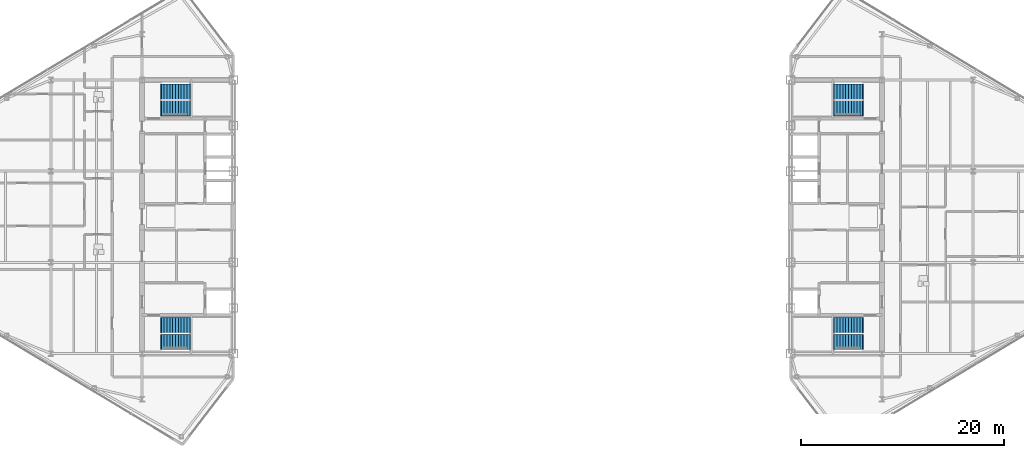
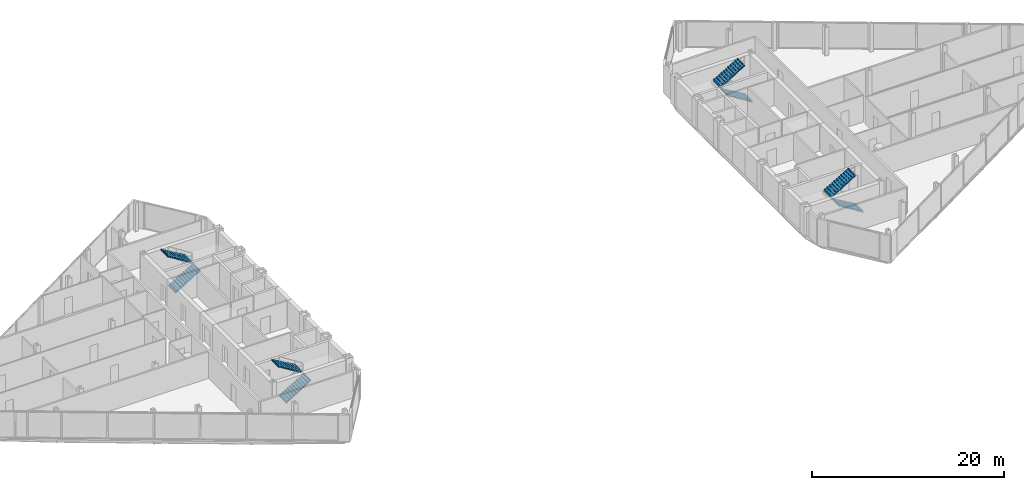
# One storey, part 23 of 25: 8 stair flights, 4 elements without a shape of their own.
"""IFC4 building model written with IfcOpenShell, lengths in metres."""

import ifcopenshell
import ifcopenshell.guid

model = None  # the IFC model being written
_history = None  # IfcOwnerHistory: only IFC2X3 demands one
_inside = {}  # id of a spatial element -> (the spatial element, [elements in it])
_under = {}  # id of a project, library or spatial element -> (it, [spatial elements below it])
_declared = {}  # id of a project -> (the project, [libraries it declares])
_typed = {}  # id of a type object -> (the type object, [elements of that type])
_made_of = {}  # id of a material, layer set ... -> (it, [elements and type objects made of it])


def new_model(schema):
    """Start an empty IFC model of exactly this schema.

    Asked for "IFC4X3", IfcOpenShell would pick the latest addendum, in which some entities
    have other attributes; the version numbers below select the first issue.
    IFC2X3 requires an IfcOwnerHistory on every rooted entity: one is made here for all.
    """
    global model, _history
    if schema == "IFC4X3":
        model = ifcopenshell.file(schema_version=(4, 3, 0, 0))
    else:
        model = ifcopenshell.file(schema=schema)
    _inside.clear()
    _under.clear()
    _declared.clear()
    _typed.clear()
    _made_of.clear()
    _history = None
    if model.schema == "IFC2X3":
        org = make("IfcOrganization", Name="unknown")
        user = make(
            "IfcPersonAndOrganization",
            ThePerson=make("IfcPerson", FamilyName="unknown"),
            TheOrganization=org,
        )
        app = make(
            "IfcApplication",
            ApplicationDeveloper=org,
            Version="unknown",
            ApplicationFullName="unknown",
            ApplicationIdentifier="unknown",
        )
        _history = make(
            "IfcOwnerHistory",
            OwningUser=user,
            OwningApplication=app,
            ChangeAction="ADDED",
            CreationDate=0,
        )
    return model


def make(cls, **values):
    """One entity of the class cls with the attributes given. An attribute that is None is left unset."""
    return model.create_entity(
        cls, **{name: value for name, value in values.items() if value is not None}
    )


def rooted(cls, **values):
    """An entity with a GlobalId (a new one), such as an element, a storey or a relation."""
    return make(cls, GlobalId=ifcopenshell.guid.new(), OwnerHistory=_history, **values)


def si_unit(unit_type, name, prefix=None):
    """IfcSIUnit, for example si_unit("LENGTHUNIT", "METRE", prefix="MILLI")."""
    return make("IfcSIUnit", UnitType=unit_type, Prefix=prefix, Name=name)


def assignment(units):
    """IfcUnitAssignment: the units of a project."""
    return None if units is None else make("IfcUnitAssignment", Units=units)


def point(xyz):
    """IfcCartesianPoint."""
    return None if xyz is None else make("IfcCartesianPoint", Coordinates=xyz)


def direction(xyz):
    """IfcDirection."""
    return None if xyz is None else make("IfcDirection", DirectionRatios=xyz)


def frame(location, z_axis=None, x_axis=None):
    """IfcAxis2Placement3D, a coordinate frame: its origin and axes. An axis left out is left unset."""
    return make(
        "IfcAxis2Placement3D",
        Location=point(location),
        Axis=direction(z_axis),
        RefDirection=direction(x_axis),
    )


def origin():
    """The frame at (0, 0, 0) with its axes left unset."""
    return frame((0.0, 0.0, 0.0))


def place(relative_to, where):
    """IfcLocalPlacement: puts the frame where relative to a parent placement (None: the world)."""
    return make(
        "IfcLocalPlacement", PlacementRelTo=relative_to, RelativePlacement=where
    )


def context(
    kind, dimensions, precision=None, world=None, true_north=None, identifier=None
):
    """IfcGeometricRepresentationContext, for example the 3D "Model" context."""
    return make(
        "IfcGeometricRepresentationContext",
        ContextIdentifier=identifier,
        ContextType=kind,
        CoordinateSpaceDimension=dimensions,
        Precision=precision,
        WorldCoordinateSystem=world,
        TrueNorth=true_north,
    )


def subcontext(parent, identifier, kind, view, scale=None):
    """IfcGeometricRepresentationSubContext, for example "Body" below "Model"."""
    return make(
        "IfcGeometricRepresentationSubContext",
        ContextIdentifier=identifier,
        ContextType=kind,
        ParentContext=parent,
        TargetScale=scale,
        TargetView=view,
    )


def project(units=None, contexts=None):
    """IfcProject with its units and contexts."""
    return rooted(
        "IfcProject",
        Name="project",
        RepresentationContexts=contexts,
        UnitsInContext=assignment(units),
    )


def spatial(cls, under=None, at=None, **own):
    """A site, building, storey or space (cls), placed at a placement, below another one or the project."""
    s = rooted(cls, ObjectPlacement=at, **own)
    if under is not None:
        _under.setdefault(under.id(), (under, []))[1].append(s)
    return s


def polyline(points):
    """IfcPolyline through the points."""
    return make("IfcPolyline", Points=[point(p) for p in points])


def outline(outer, holes=None, kind="AREA"):
    """IfcArbitraryClosedProfileDef: a profile drawn as a closed curve; with holes, ...WithVoids."""
    if holes is None:
        return make("IfcArbitraryClosedProfileDef", ProfileType=kind, OuterCurve=outer)
    return make(
        "IfcArbitraryProfileDefWithVoids",
        ProfileType=kind,
        OuterCurve=outer,
        InnerCurves=holes,
    )


def extrude(swept, where, along, depth):
    """IfcExtrudedAreaSolid: the profile swept, set in the frame where, extruded along a direction by depth."""
    return make(
        "IfcExtrudedAreaSolid",
        SweptArea=swept,
        Position=where,
        ExtrudedDirection=direction(along),
        Depth=depth,
    )


def shape(context_of_items, identifier, shape_type, items):
    """IfcShapeRepresentation: the items that make up one representation, for example the "Body"."""
    return make(
        "IfcShapeRepresentation",
        ContextOfItems=context_of_items,
        RepresentationIdentifier=identifier,
        RepresentationType=shape_type,
        Items=items,
    )


def material(Name=None, Category=None):
    """IfcMaterial."""
    return make("IfcMaterial", Name=Name, Category=Category)


def made_of(thing, what):
    """Note that an element or type object is made of a material, layer set ...; save() writes the relation."""
    if what is not None:
        _made_of.setdefault(what.id(), (what, []))[1].append(thing)
    return thing


def type_object(cls, material=None, **own):
    """A type object (cls), such as IfcWallType, which elements share."""
    return made_of(rooted(cls, **own), material)


def element(
    cls,
    number,
    at=None,
    inside=None,
    cuts=None,
    type_object=None,
    material=None,
    context=None,
    identifier="Body",
    shape_type=None,
    held_by="IfcProductDefinitionShape",
    body=None,
    shapes=None,
    **own,
):
    """One element of the class cls, such as IfcWall. Its Tag is "e" and its number.

    at: its placement. inside: the storey or other place that contains it. cuts: it is an
    opening in that element (IfcRelVoidsElement). A single representation is given by context,
    identifier, shape_type and body (its items); several are given by shapes. held_by: the class
    of the entity that holds the representations. save() writes the other relations.
    """
    e = rooted(cls, Tag="e%d" % number, ObjectPlacement=at, **own)
    if body is not None:
        shapes = [shape(context, identifier, shape_type, body)]
    if shapes is not None:
        e.Representation = make(held_by, Representations=shapes)
    if inside is not None:
        _inside.setdefault(inside.id(), (inside, []))[1].append(e)
    if cuts is not None:
        rooted(
            "IfcRelVoidsElement", RelatingBuildingElement=cuts, RelatedOpeningElement=e
        )
    if type_object is not None:
        _typed.setdefault(type_object.id(), (type_object, []))[1].append(e)
    return made_of(e, material)


def aggregate(whole, parts):
    """IfcRelAggregates: a whole, such as a stair, and the parts it consists of."""
    return rooted("IfcRelAggregates", RelatingObject=whole, RelatedObjects=parts)


def save(model, path):
    """Write the relations noted so far, then the file.

    IfcRelAggregates (storeys below a building ...), IfcRelContainedInSpatialStructure (elements
    in a storey), IfcRelDefinesByType, IfcRelAssociatesMaterial and IfcRelDeclares: one each for
    every whole, place, type object, material and project.
    """
    for whole, parts in _under.values():
        aggregate(whole, parts)
    for where, things in _inside.values():
        rooted(
            "IfcRelContainedInSpatialStructure",
            RelatedElements=things,
            RelatingStructure=where,
        )
    for kind, things in _typed.values():
        rooted("IfcRelDefinesByType", RelatedObjects=things, RelatingType=kind)
    for what, things in _made_of.values():
        rooted("IfcRelAssociatesMaterial", RelatedObjects=things, RelatingMaterial=what)
    for by, libraries in _declared.values():
        rooted("IfcRelDeclares", RelatingContext=by, RelatedDefinitions=libraries)
    model.write(path)


model = new_model("IFC4")

# Units and contexts
model_context = context("Model", 3, precision=1e-05, world=origin(), true_north=direction((0.0, 1.0)))
body_context = subcontext(model_context, "Body", "Model", "MODEL_VIEW")
ifc_project = project(units=[si_unit("LENGTHUNIT", "METRE"), si_unit("AREAUNIT", "SQUARE_METRE"), si_unit("VOLUMEUNIT", "CUBIC_METRE"), si_unit("PLANEANGLEUNIT", "RADIAN"), si_unit("MASSUNIT", "GRAM", prefix="KILO")], contexts=[model_context])

# Site, building, storey
site_placement = place(None, origin())
site = spatial("IfcSite", under=ifc_project, at=site_placement, CompositionType="ELEMENT")
building_placement = place(site_placement, origin())
building = spatial("IfcBuilding", under=site, at=building_placement, Name="Seokmaru Belvedere", CompositionType="ELEMENT")
storey_placement = place(building_placement, frame((0.0, 0.0, 213.89990234375)))
storey = spatial("IfcBuildingStorey", under=building, at=storey_placement, Name="L57", CompositionType="ELEMENT", Elevation=213.89990234375)

# Stair, stair flights
ifc_material = material(Name="Concrete C40 (40 MPa)", Category="concrete")
stair_type = type_object("IfcStairType", Name="Typical Tower Core Dog-Leg Stair 3600", PredefinedType="TWO_STRAIGHT_RUN_STAIR", material=ifc_material)
stair_1_placement = place(storey_placement, origin())
stair_1 = element("IfcStair", 1, at=stair_1_placement, inside=storey, type_object=stair_type, Name="L57 Special Escape Stair ST-W1", PredefinedType="TWO_STRAIGHT_RUN_STAIR")
stair_flight_type = type_object("IfcStairFlightType", Name="Reinforced Concrete Stair Flight 1500", PredefinedType="STRAIGHT", material=ifc_material)
stair_flight_1_placement = place(storey_placement, frame((-34.60009765625, -12.35009765625, 0.0), z_axis=(0.0, 0.0, 1.0), x_axis=(1.0, 0.0, 0.0)))
stair_flight_1 = element("IfcStairFlight", 2, at=stair_flight_1_placement, type_object=stair_flight_type, Name="ST-W1 flight 1", NumberOfRisers=11, NumberOfTreads=10, PredefinedType="STRAIGHT", RiserHeight=0.163636364, TreadLength=0.28, context=body_context, shape_type="SweptSolid", body=[
    extrude(outline(polyline([(-0.080078125, 0.0), (0.0, 0.16357421875), (0.280029296875, 0.16357421875), (0.280029296875, 0.327392578125), (0.56005859375, 0.327392578125), (0.56005859375, 0.490966796875), (0.840087890625, 0.490966796875), (0.840087890625, 0.654541015625), (1.1201171875, 0.654541015625), (1.1201171875, 0.818115234375), (1.39990234375, 0.818115234375), (1.39990234375, 0.98193359375), (1.679931640625, 0.98193359375), (1.679931640625, 1.1455078125), (1.9599609375, 1.1455078125), (1.9599609375, 1.30908203125), (2.239990234375, 1.30908203125), (2.239990234375, 1.47265625), (2.52001953125, 1.47265625), (2.52001953125, 1.636474609375), (2.800048828125, 1.636474609375), (2.800048828125, 1.800048828125), (2.8798828125, 1.800048828125), (2.8798828125, 1.610107421875), (2.800048828125, 1.610107421875), (0.0, -0.159912109375), (-0.080078125, -0.159912109375), (-0.080078125, 0.0)])), frame((0.0, 0.75, 0.0), z_axis=(0.0, -1.0, 0.0), x_axis=(1.0, 0.0, 0.0)), (0.0, 0.0, 1.0), 1.5),
])
stair_flight_2_placement = place(storey_placement, frame((-31.800048828125, -10.7099609375, 1.800048828125), z_axis=(0.0, 0.0, 1.0), x_axis=(-1.0, 0.0, 0.0)))
stair_flight_2 = element("IfcStairFlight", 3, at=stair_flight_2_placement, type_object=stair_flight_type, Name="ST-W1 flight 2", NumberOfRisers=11, NumberOfTreads=10, PredefinedType="STRAIGHT", RiserHeight=0.163636364, TreadLength=0.28, context=body_context, shape_type="SweptSolid", body=[
    extrude(outline(polyline([(-0.080078125, 0.0), (0.0, 0.16357421875), (0.280029296875, 0.16357421875), (0.280029296875, 0.327392578125), (0.56005859375, 0.327392578125), (0.56005859375, 0.490966796875), (0.840087890625, 0.490966796875), (0.840087890625, 0.654541015625), (1.1201171875, 0.654541015625), (1.1201171875, 0.818115234375), (1.39990234375, 0.818115234375), (1.39990234375, 0.98193359375), (1.679931640625, 0.98193359375), (1.679931640625, 1.1455078125), (1.9599609375, 1.1455078125), (1.9599609375, 1.30908203125), (2.239990234375, 1.30908203125), (2.239990234375, 1.47265625), (2.52001953125, 1.47265625), (2.52001953125, 1.636474609375), (2.800048828125, 1.636474609375), (2.800048828125, 1.800048828125), (2.8798828125, 1.800048828125), (2.8798828125, 1.610107421875), (2.800048828125, 1.610107421875), (0.0, -0.159912109375), (-0.080078125, -0.159912109375), (-0.080078125, 0.0)])), frame((0.0, 0.75, 0.0), z_axis=(0.0, -1.0, 0.0), x_axis=(1.0, 0.0, 0.0)), (0.0, 0.0, 1.0), 1.5),
])
aggregate(stair_1, [stair_flight_1, stair_flight_2])

stair_2_placement = place(storey_placement, origin())
stair_2 = element("IfcStair", 4, at=stair_2_placement, inside=storey, type_object=stair_type, Name="L57 Special Escape Stair ST-W2", PredefinedType="TWO_STRAIGHT_RUN_STAIR")
stair_flight_3_placement = place(storey_placement, frame((-34.60009765625, 10.7099609375, 0.0), z_axis=(0.0, 0.0, 1.0), x_axis=(1.0, 0.0, 0.0)))
stair_flight_3 = element("IfcStairFlight", 5, at=stair_flight_3_placement, type_object=stair_flight_type, Name="ST-W2 flight 1", NumberOfRisers=11, NumberOfTreads=10, PredefinedType="STRAIGHT", RiserHeight=0.163636364, TreadLength=0.28, context=body_context, shape_type="SweptSolid", body=[
    extrude(outline(polyline([(-0.080078125, 0.0), (0.0, 0.16357421875), (0.280029296875, 0.16357421875), (0.280029296875, 0.327392578125), (0.56005859375, 0.327392578125), (0.56005859375, 0.490966796875), (0.840087890625, 0.490966796875), (0.840087890625, 0.654541015625), (1.1201171875, 0.654541015625), (1.1201171875, 0.818115234375), (1.39990234375, 0.818115234375), (1.39990234375, 0.98193359375), (1.679931640625, 0.98193359375), (1.679931640625, 1.1455078125), (1.9599609375, 1.1455078125), (1.9599609375, 1.30908203125), (2.239990234375, 1.30908203125), (2.239990234375, 1.47265625), (2.52001953125, 1.47265625), (2.52001953125, 1.636474609375), (2.800048828125, 1.636474609375), (2.800048828125, 1.800048828125), (2.8798828125, 1.800048828125), (2.8798828125, 1.610107421875), (2.800048828125, 1.610107421875), (0.0, -0.159912109375), (-0.080078125, -0.159912109375), (-0.080078125, 0.0)])), frame((0.0, 0.75, 0.0), z_axis=(0.0, -1.0, 0.0), x_axis=(1.0, 0.0, 0.0)), (0.0, 0.0, 1.0), 1.5),
])
stair_flight_4_placement = place(storey_placement, frame((-31.800048828125, 12.35009765625, 1.800048828125), z_axis=(0.0, 0.0, 1.0), x_axis=(-1.0, 0.0, 0.0)))
stair_flight_4 = element("IfcStairFlight", 6, at=stair_flight_4_placement, type_object=stair_flight_type, Name="ST-W2 flight 2", NumberOfRisers=11, NumberOfTreads=10, PredefinedType="STRAIGHT", RiserHeight=0.163636364, TreadLength=0.28, context=body_context, shape_type="SweptSolid", body=[
    extrude(outline(polyline([(-0.080078125, 0.0), (0.0, 0.16357421875), (0.280029296875, 0.16357421875), (0.280029296875, 0.327392578125), (0.56005859375, 0.327392578125), (0.56005859375, 0.490966796875), (0.840087890625, 0.490966796875), (0.840087890625, 0.654541015625), (1.1201171875, 0.654541015625), (1.1201171875, 0.818115234375), (1.39990234375, 0.818115234375), (1.39990234375, 0.98193359375), (1.679931640625, 0.98193359375), (1.679931640625, 1.1455078125), (1.9599609375, 1.1455078125), (1.9599609375, 1.30908203125), (2.239990234375, 1.30908203125), (2.239990234375, 1.47265625), (2.52001953125, 1.47265625), (2.52001953125, 1.636474609375), (2.800048828125, 1.636474609375), (2.800048828125, 1.800048828125), (2.8798828125, 1.800048828125), (2.8798828125, 1.610107421875), (2.800048828125, 1.610107421875), (0.0, -0.159912109375), (-0.080078125, -0.159912109375), (-0.080078125, 0.0)])), frame((0.0, 0.75, 0.0), z_axis=(0.0, -1.0, 0.0), x_axis=(1.0, 0.0, 0.0)), (0.0, 0.0, 1.0), 1.5),
])
aggregate(stair_2, [stair_flight_3, stair_flight_4])

stair_3_placement = place(storey_placement, origin())
stair_3 = element("IfcStair", 7, at=stair_3_placement, inside=storey, type_object=stair_type, Name="L57 Special Escape Stair ST-E1", PredefinedType="TWO_STRAIGHT_RUN_STAIR")
stair_flight_5_placement = place(storey_placement, frame((34.60009765625, -12.35009765625, 0.0), z_axis=(0.0, 0.0, 1.0), x_axis=(-1.0, 0.0, 0.0)))
stair_flight_5 = element("IfcStairFlight", 8, at=stair_flight_5_placement, type_object=stair_flight_type, Name="ST-E1 flight 1", NumberOfRisers=11, NumberOfTreads=10, PredefinedType="STRAIGHT", RiserHeight=0.163636364, TreadLength=0.28, context=body_context, shape_type="SweptSolid", body=[
    extrude(outline(polyline([(-0.080078125, 0.0), (0.0, 0.16357421875), (0.280029296875, 0.16357421875), (0.280029296875, 0.327392578125), (0.56005859375, 0.327392578125), (0.56005859375, 0.490966796875), (0.840087890625, 0.490966796875), (0.840087890625, 0.654541015625), (1.1201171875, 0.654541015625), (1.1201171875, 0.818115234375), (1.39990234375, 0.818115234375), (1.39990234375, 0.98193359375), (1.679931640625, 0.98193359375), (1.679931640625, 1.1455078125), (1.9599609375, 1.1455078125), (1.9599609375, 1.30908203125), (2.239990234375, 1.30908203125), (2.239990234375, 1.47265625), (2.52001953125, 1.47265625), (2.52001953125, 1.636474609375), (2.800048828125, 1.636474609375), (2.800048828125, 1.800048828125), (2.8798828125, 1.800048828125), (2.8798828125, 1.610107421875), (2.800048828125, 1.610107421875), (0.0, -0.159912109375), (-0.080078125, -0.159912109375), (-0.080078125, 0.0)])), frame((0.0, 0.75, 0.0), z_axis=(0.0, -1.0, 0.0), x_axis=(1.0, 0.0, 0.0)), (0.0, 0.0, 1.0), 1.5),
])
stair_flight_6_placement = place(storey_placement, frame((31.800048828125, -10.7099609375, 1.800048828125), z_axis=(0.0, 0.0, 1.0), x_axis=(1.0, 0.0, 0.0)))
stair_flight_6 = element("IfcStairFlight", 9, at=stair_flight_6_placement, type_object=stair_flight_type, Name="ST-E1 flight 2", NumberOfRisers=11, NumberOfTreads=10, PredefinedType="STRAIGHT", RiserHeight=0.163636364, TreadLength=0.28, context=body_context, shape_type="SweptSolid", body=[
    extrude(outline(polyline([(-0.080078125, 0.0), (0.0, 0.16357421875), (0.280029296875, 0.16357421875), (0.280029296875, 0.327392578125), (0.56005859375, 0.327392578125), (0.56005859375, 0.490966796875), (0.840087890625, 0.490966796875), (0.840087890625, 0.654541015625), (1.1201171875, 0.654541015625), (1.1201171875, 0.818115234375), (1.39990234375, 0.818115234375), (1.39990234375, 0.98193359375), (1.679931640625, 0.98193359375), (1.679931640625, 1.1455078125), (1.9599609375, 1.1455078125), (1.9599609375, 1.30908203125), (2.239990234375, 1.30908203125), (2.239990234375, 1.47265625), (2.52001953125, 1.47265625), (2.52001953125, 1.636474609375), (2.800048828125, 1.636474609375), (2.800048828125, 1.800048828125), (2.8798828125, 1.800048828125), (2.8798828125, 1.610107421875), (2.800048828125, 1.610107421875), (0.0, -0.159912109375), (-0.080078125, -0.159912109375), (-0.080078125, 0.0)])), frame((0.0, 0.75, 0.0), z_axis=(0.0, -1.0, 0.0), x_axis=(1.0, 0.0, 0.0)), (0.0, 0.0, 1.0), 1.5),
])
aggregate(stair_3, [stair_flight_5, stair_flight_6])

stair_4_placement = place(storey_placement, origin())
stair_4 = element("IfcStair", 10, at=stair_4_placement, inside=storey, type_object=stair_type, Name="L57 Special Escape Stair ST-E2", PredefinedType="TWO_STRAIGHT_RUN_STAIR")
stair_flight_7_placement = place(storey_placement, frame((34.60009765625, 10.7099609375, 0.0), z_axis=(0.0, 0.0, 1.0), x_axis=(-1.0, 0.0, 0.0)))
stair_flight_7 = element("IfcStairFlight", 11, at=stair_flight_7_placement, type_object=stair_flight_type, Name="ST-E2 flight 1", NumberOfRisers=11, NumberOfTreads=10, PredefinedType="STRAIGHT", RiserHeight=0.163636364, TreadLength=0.28, context=body_context, shape_type="SweptSolid", body=[
    extrude(outline(polyline([(-0.080078125, 0.0), (0.0, 0.16357421875), (0.280029296875, 0.16357421875), (0.280029296875, 0.327392578125), (0.56005859375, 0.327392578125), (0.56005859375, 0.490966796875), (0.840087890625, 0.490966796875), (0.840087890625, 0.654541015625), (1.1201171875, 0.654541015625), (1.1201171875, 0.818115234375), (1.39990234375, 0.818115234375), (1.39990234375, 0.98193359375), (1.679931640625, 0.98193359375), (1.679931640625, 1.1455078125), (1.9599609375, 1.1455078125), (1.9599609375, 1.30908203125), (2.239990234375, 1.30908203125), (2.239990234375, 1.47265625), (2.52001953125, 1.47265625), (2.52001953125, 1.636474609375), (2.800048828125, 1.636474609375), (2.800048828125, 1.800048828125), (2.8798828125, 1.800048828125), (2.8798828125, 1.610107421875), (2.800048828125, 1.610107421875), (0.0, -0.159912109375), (-0.080078125, -0.159912109375), (-0.080078125, 0.0)])), frame((0.0, 0.75, 0.0), z_axis=(0.0, -1.0, 0.0), x_axis=(1.0, 0.0, 0.0)), (0.0, 0.0, 1.0), 1.5),
])
stair_flight_8_placement = place(storey_placement, frame((31.800048828125, 12.35009765625, 1.800048828125), z_axis=(0.0, 0.0, 1.0), x_axis=(1.0, 0.0, 0.0)))
stair_flight_8 = element("IfcStairFlight", 12, at=stair_flight_8_placement, type_object=stair_flight_type, Name="ST-E2 flight 2", NumberOfRisers=11, NumberOfTreads=10, PredefinedType="STRAIGHT", RiserHeight=0.163636364, TreadLength=0.28, context=body_context, shape_type="SweptSolid", body=[
    extrude(outline(polyline([(-0.080078125, 0.0), (0.0, 0.16357421875), (0.280029296875, 0.16357421875), (0.280029296875, 0.327392578125), (0.56005859375, 0.327392578125), (0.56005859375, 0.490966796875), (0.840087890625, 0.490966796875), (0.840087890625, 0.654541015625), (1.1201171875, 0.654541015625), (1.1201171875, 0.818115234375), (1.39990234375, 0.818115234375), (1.39990234375, 0.98193359375), (1.679931640625, 0.98193359375), (1.679931640625, 1.1455078125), (1.9599609375, 1.1455078125), (1.9599609375, 1.30908203125), (2.239990234375, 1.30908203125), (2.239990234375, 1.47265625), (2.52001953125, 1.47265625), (2.52001953125, 1.636474609375), (2.800048828125, 1.636474609375), (2.800048828125, 1.800048828125), (2.8798828125, 1.800048828125), (2.8798828125, 1.610107421875), (2.800048828125, 1.610107421875), (0.0, -0.159912109375), (-0.080078125, -0.159912109375), (-0.080078125, 0.0)])), frame((0.0, 0.75, 0.0), z_axis=(0.0, -1.0, 0.0), x_axis=(1.0, 0.0, 0.0)), (0.0, 0.0, 1.0), 1.5),
])
aggregate(stair_4, [stair_flight_7, stair_flight_8])

save(model, "model.ifc")
